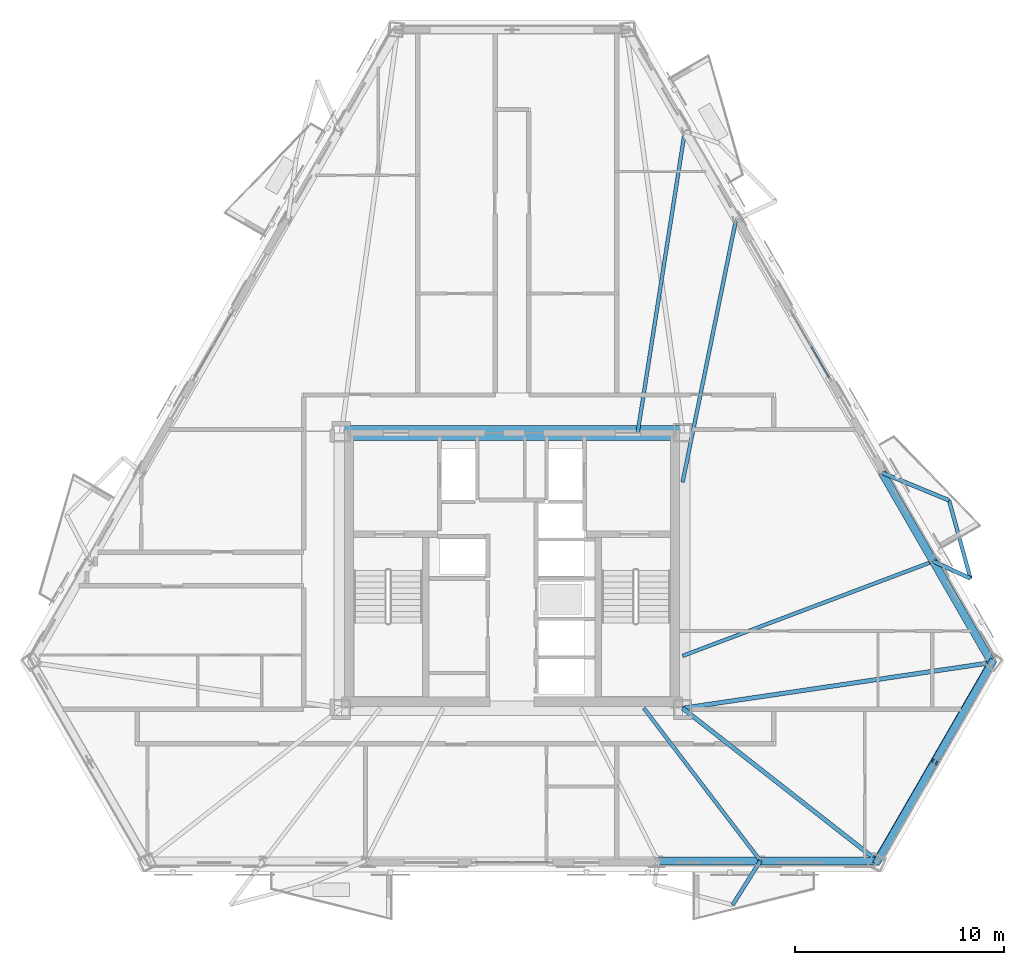
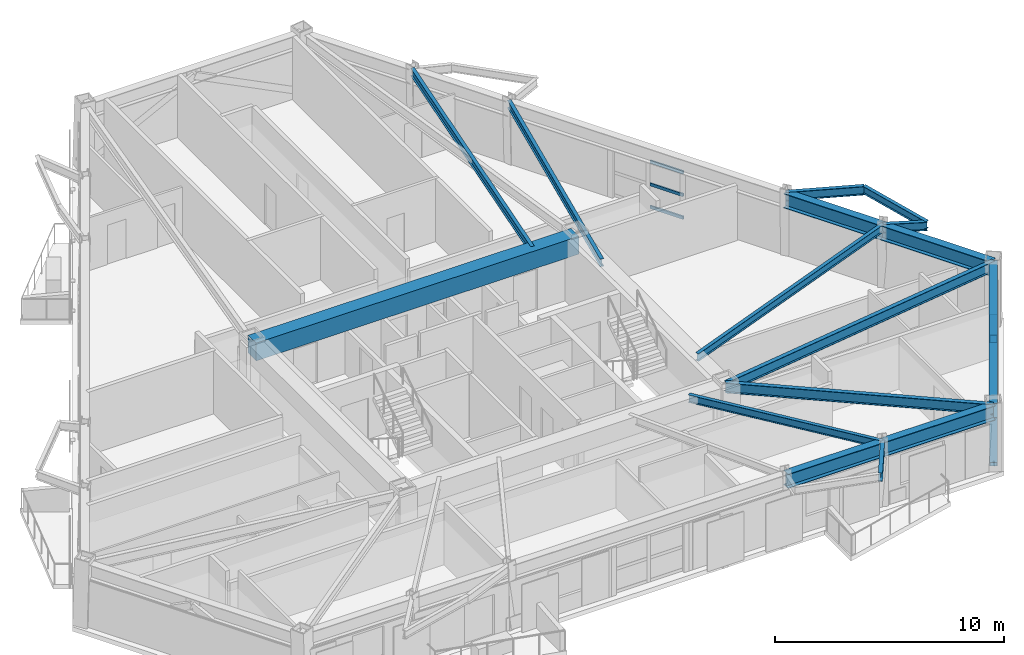
# One storey, part 6 of 16: 16 beams, 5 members, 1 element without a shape of its own.
"""IFC4 building model written with IfcOpenShell, lengths in metres."""

from ifc_helpers import new_model, si_unit, direction, frame, origin, origin_2d, place, context, subcontext, project, spatial, rectangle, hollow_rectangle, i_section, extrude, material, layer, layer_set, material_profile, profile_set, type_object, element, aggregate, save


model = new_model("IFC4")

# Units and contexts
model_context = context("Model", 3, precision=1e-05, world=origin(), true_north=direction((0.0, 1.0)))
body_context = subcontext(model_context, "Body", "Model", "MODEL_VIEW")
ifc_project = project(units=[si_unit("LENGTHUNIT", "METRE"), si_unit("AREAUNIT", "SQUARE_METRE"), si_unit("VOLUMEUNIT", "CUBIC_METRE"), si_unit("PLANEANGLEUNIT", "RADIAN"), si_unit("MASSUNIT", "GRAM", prefix="KILO")], contexts=[model_context])

# Site, building, storey
site_placement = place(None, origin())
site = spatial("IfcSite", under=ifc_project, at=site_placement, CompositionType="ELEMENT")
building_placement = place(site_placement, origin())
building = spatial("IfcBuilding", under=site, at=building_placement, Name="Oramaril Tower", CompositionType="ELEMENT")
storey_placement = place(building_placement, frame((0.0, 0.0, 115.800048828125)))
storey = spatial("IfcBuildingStorey", under=building, at=storey_placement, Name="L30", CompositionType="ELEMENT", Elevation=115.800048828125)

# Beams
ifc_material_1 = material(Name="Steel ASTM A572 Gr 50", Category="steel")
ifc_material_profile_1 = material_profile(ifc_material_1, i_section(OverallWidth=0.19091796875, OverallDepth=0.45703125, WebThickness=0.009033203125, FlangeThickness=0.014404296875, at=origin_2d()), Name="W18X50")
ifc_profile_set_1 = profile_set([ifc_material_profile_1], Name="Steel ASTM A572 Gr 50")
beam_type_1 = type_object("IfcBeamType", Name="BT-BB1", PredefinedType="BEAM", material=ifc_profile_set_1)
beam_1_placement = place(storey_placement, frame((49.366455078125, 3.712890625, 3.13134765625), z_axis=(-0.533078342668, -0.846065884301, 0.0), x_axis=(0.846065884301, -0.533078342668, 0.0)))
element("IfcBeam", 1, at=beam_1_placement, inside=storey, type_object=beam_type_1, Name="L30 Balcony Column-Framed Cantilever 02.2", PredefinedType="BEAM", context=body_context, shape_type="SweptSolid", body=[
    extrude(i_section(OverallWidth=0.19091796875, OverallDepth=0.45703125, WebThickness=0.009033203125, FlangeThickness=0.014404296875, at=origin_2d()), origin(), (0.0, 0.0, 1.0), 2.491455078125),
])
beam_2_placement = place(storey_placement, frame((57.624755859375, 18.016845703125, 3.13134765625), z_axis=(0.908047089501, -0.418868097674, 0.0), x_axis=(0.418868097674, 0.908047089501, 0.0)))
element("IfcBeam", 2, at=beam_2_placement, inside=storey, type_object=beam_type_1, Name="L30 Balcony Column-Framed Cantilever 03.1", PredefinedType="BEAM", context=body_context, shape_type="SweptSolid", body=[
    extrude(i_section(OverallWidth=0.19091796875, OverallDepth=0.45703125, WebThickness=0.009033203125, FlangeThickness=0.014404296875, at=origin_2d()), origin(), (0.0, 0.0, 1.0), 1.954833984375),
])
beam_3_placement = place(storey_placement, frame((55.181640625, 22.248291015625, 3.13134765625), z_axis=(0.924448250069, -0.381307530669, 0.0), x_axis=(0.381307530669, 0.924448250069, 0.0)))
element("IfcBeam", 3, at=beam_3_placement, inside=storey, type_object=beam_type_1, Name="L30 Balcony Column-Framed Cantilever 03.2", PredefinedType="BEAM", context=body_context, shape_type="SweptSolid", body=[
    extrude(i_section(OverallWidth=0.19091796875, OverallDepth=0.45703125, WebThickness=0.009033203125, FlangeThickness=0.014404296875, at=origin_2d()), origin(), (0.0, 0.0, 1.0), 3.456298828125),
])
ifc_material_2 = material(Name="Concrete C50/60", Category="concrete")
ifc_material_profile_2 = material_profile(ifc_material_2, rectangle(XDim=0.699951171875, YDim=0.949951171875, at=origin_2d()), Name="CB700X950")
ifc_profile_set_2 = profile_set([ifc_material_profile_2], Name="Concrete C50/60")
beam_type_2 = type_object("IfcBeamType", Name="BT-CB1", PredefinedType="BEAM", material=ifc_profile_set_2)
beam_4_placement = place(storey_placement, frame((45.64990234375, 24.14990234375, 2.885009765625), z_axis=(-1.0, 0.0, 0.0), x_axis=(0.0, -1.0, 0.0)))
element("IfcBeam", 4, at=beam_4_placement, inside=storey, type_object=beam_type_2, Name="L30 Core Header Beam CB-3", PredefinedType="BEAM", context=body_context, shape_type="SweptSolid", body=[
    extrude(rectangle(XDim=0.699951171875, YDim=0.949951171875, at=origin_2d()), origin(), (0.0, 0.0, 1.0), 16.2998046875),
])
ifc_material_3 = material(Name="Steel ASTM A572 Gr 50", Category="steel")
ifc_material_profile_3 = material_profile(ifc_material_3, i_section(OverallWidth=0.2099609375, OverallDepth=0.535888671875, WebThickness=0.010986328125, FlangeThickness=0.017333984375, at=origin_2d()), Name="W21X68")
ifc_profile_set_3 = profile_set([ifc_material_profile_3], Name="Steel ASTM A572 Gr 50")
beam_type_3 = type_object("IfcBeamType", Name="BT-FB2", PredefinedType="BEAM", material=ifc_profile_set_3)
beam_5_placement = place(storey_placement, frame((45.64990234375, 11.0, 3.092041015625), z_axis=(0.787166527456, -0.616740511117, 0.0), x_axis=(0.616740511117, 0.787166527456, 0.0)))
element("IfcBeam", 5, at=beam_5_placement, inside=storey, type_object=beam_type_3, Name="L30 Radial Primary Beam RB-03", PredefinedType="BEAM", context=body_context, shape_type="SweptSolid", body=[
    extrude(i_section(OverallWidth=0.2099609375, OverallDepth=0.535888671875, WebThickness=0.010986328125, FlangeThickness=0.017333984375, at=origin_2d()), origin(), (0.0, 0.0, 1.0), 11.8154296875),
])
beam_6_placement = place(storey_placement, frame((45.64990234375, 11.0, 3.092041015625), z_axis=(0.989271500293, 0.146088667283, 0.0), x_axis=(-0.146088667283, 0.989271500293, 0.0)))
element("IfcBeam", 6, at=beam_6_placement, inside=storey, type_object=beam_type_3, Name="L30 Radial Primary Beam RB-04", PredefinedType="BEAM", context=body_context, shape_type="SweptSolid", body=[
    extrude(i_section(OverallWidth=0.2099609375, OverallDepth=0.535888671875, WebThickness=0.010986328125, FlangeThickness=0.017333984375, at=origin_2d()), origin(), (0.0, 0.0, 1.0), 14.927001953125),
])
ifc_material_4 = material(Name="Steel ASTM A572 Gr 50", Category="steel")
ifc_material_profile_4 = material_profile(ifc_material_4, i_section(OverallWidth=0.177978515625, OverallDepth=0.404052734375, WebThickness=0.007568359375, FlangeThickness=0.010986328125, at=origin_2d()), Name="W16X36")
ifc_profile_set_4 = profile_set([ifc_material_profile_4], Name="Steel ASTM A572 Gr 50")
beam_type_4 = type_object("IfcBeamType", Name="BT-SB1", PredefinedType="BEAM", material=ifc_profile_set_4)
beam_7_placement = place(storey_placement, frame((43.800048828125, 11.0, 3.157958984375), z_axis=(0.607031012152, -0.794678142575, 0.0), x_axis=(0.794678142575, 0.607031012152, 0.0)))
element("IfcBeam", 7, at=beam_7_placement, inside=storey, type_object=beam_type_4, Name="L30 Secondary Floor Beam SB-04", PredefinedType="BEAM", context=body_context, shape_type="SweptSolid", body=[
    extrude(i_section(OverallWidth=0.177978515625, OverallDepth=0.404052734375, WebThickness=0.007568359375, FlangeThickness=0.010986328125, at=origin_2d()), origin(), (0.0, 0.0, 1.0), 9.169921875),
])
beam_8_placement = place(storey_placement, frame((45.64990234375, 13.5, 3.157958984375), z_axis=(0.935652475235, 0.352922719002, 0.0), x_axis=(-0.352922719002, 0.935652475235, 0.0)))
element("IfcBeam", 8, at=beam_8_placement, inside=storey, type_object=beam_type_4, Name="L30 Secondary Floor Beam SB-05", PredefinedType="BEAM", context=body_context, shape_type="SweptSolid", body=[
    extrude(i_section(OverallWidth=0.177978515625, OverallDepth=0.404052734375, WebThickness=0.007568359375, FlangeThickness=0.010986328125, at=origin_2d()), origin(), (0.0, 0.0, 1.0), 12.79833984375),
])
beam_9_placement = place(storey_placement, frame((45.64990234375, 21.800048828125, 3.157958984375), z_axis=(0.199410079743, 0.979916129114, 0.0), x_axis=(-0.979916129114, 0.199410079743, 0.0)))
element("IfcBeam", 9, at=beam_9_placement, inside=storey, type_object=beam_type_4, Name="L30 Secondary Floor Beam SB-06", PredefinedType="BEAM", context=body_context, shape_type="SweptSolid", body=[
    extrude(i_section(OverallWidth=0.177978515625, OverallDepth=0.404052734375, WebThickness=0.007568359375, FlangeThickness=0.010986328125, at=origin_2d()), origin(), (0.0, 0.0, 1.0), 12.79541015625),
])
beam_10_placement = place(storey_placement, frame((43.5, 24.14990234375, 3.157958984375), z_axis=(0.154721289501, 0.987958158312, 0.0), x_axis=(-0.987958158312, 0.154721289501, 0.0)))
element("IfcBeam", 10, at=beam_10_placement, inside=storey, type_object=beam_type_4, Name="L30 Secondary Floor Beam SB-07", PredefinedType="BEAM", context=body_context, shape_type="SweptSolid", body=[
    extrude(i_section(OverallWidth=0.177978515625, OverallDepth=0.404052734375, WebThickness=0.007568359375, FlangeThickness=0.010986328125, at=origin_2d()), origin(), (0.0, 0.0, 1.0), 14.595947265625),
])
beam_11_placement = place(storey_placement, frame((59.39990234375, 17.197998046875, 3.157958984375), z_axis=(-0.264382243015, 0.964417974521, 0.0), x_axis=(-0.964417974521, -0.264382243015, 0.0)))
element("IfcBeam", 11, at=beam_11_placement, inside=storey, type_object=beam_type_4, Name="L30 Balcony Edge Tie Beam 03", PredefinedType="BEAM", context=body_context, shape_type="SweptSolid", body=[
    extrude(i_section(OverallWidth=0.177978515625, OverallDepth=0.404052734375, WebThickness=0.007568359375, FlangeThickness=0.010986328125, at=origin_2d()), origin(), (0.0, 0.0, 1.0), 3.8701171875),
])
ifc_material_5 = material(Name="Steel ASTM A572 Gr 50", Category="steel")
ifc_material_profile_5 = material_profile(ifc_material_5, i_section(OverallWidth=0.381103515625, OverallDepth=0.77197265625, WebThickness=0.0166015625, FlangeThickness=0.027099609375, at=origin_2d()), Name="W30X173")
ifc_profile_set_5 = profile_set([ifc_material_profile_5], Name="Steel ASTM A572 Gr 50")
beam_type_5 = type_object("IfcBeamType", Name="BT-SP2", PredefinedType="SPANDREL", material=ifc_profile_set_5)
beam_12_placement = place(storey_placement, frame((44.480224609375, 3.712890625, 2.973876953125), z_axis=(1.0, 0.0, 0.0), x_axis=(0.0, 1.0, 0.0)))
element("IfcBeam", 12, at=beam_12_placement, inside=storey, type_object=beam_type_5, Name="L30 Perimeter Spandrel 05", PredefinedType="SPANDREL", context=body_context, shape_type="SweptSolid", body=[
    extrude(i_section(OverallWidth=0.381103515625, OverallDepth=0.77197265625, WebThickness=0.0166015625, FlangeThickness=0.027099609375, at=origin_2d()), origin(), (0.0, 0.0, 1.0), 4.88623046875),
])
beam_13_placement = place(storey_placement, frame((49.366455078125, 3.712890625, 2.973876953125), z_axis=(1.0, 0.0, 0.0), x_axis=(0.0, 1.0, 0.0)))
element("IfcBeam", 13, at=beam_13_placement, inside=storey, type_object=beam_type_5, Name="L30 Perimeter Spandrel 06", PredefinedType="SPANDREL", context=body_context, shape_type="SweptSolid", body=[
    extrude(i_section(OverallWidth=0.381103515625, OverallDepth=0.77197265625, WebThickness=0.0166015625, FlangeThickness=0.027099609375, at=origin_2d()), origin(), (0.0, 0.0, 1.0), 5.584228515625),
])
beam_14_placement = place(storey_placement, frame((54.95068359375, 3.712890625, 2.973876953125), z_axis=(0.49998922304, 0.866031625776, 0.0), x_axis=(-0.866031625776, 0.49998922304, 0.0)))
element("IfcBeam", 14, at=beam_14_placement, inside=storey, type_object=beam_type_5, Name="L30 Perimeter Spandrel 07", PredefinedType="SPANDREL", context=body_context, shape_type="SweptSolid", body=[
    extrude(i_section(OverallWidth=0.381103515625, OverallDepth=0.77197265625, WebThickness=0.0166015625, FlangeThickness=0.027099609375, at=origin_2d()), origin(), (0.0, 0.0, 1.0), 10.932373046875),
])
beam_15_placement = place(storey_placement, frame((60.416748046875, 13.1806640625, 2.973876953125), z_axis=(-0.499976014784, 0.866039251212, 0.0), x_axis=(-0.866039251212, -0.499976014784, 0.0)))
element("IfcBeam", 15, at=beam_15_placement, inside=storey, type_object=beam_type_5, Name="L30 Perimeter Spandrel 08", PredefinedType="SPANDREL", context=body_context, shape_type="SweptSolid", body=[
    extrude(i_section(OverallWidth=0.381103515625, OverallDepth=0.77197265625, WebThickness=0.0166015625, FlangeThickness=0.027099609375, at=origin_2d()), origin(), (0.0, 0.0, 1.0), 5.584228515625),
])
beam_16_placement = place(storey_placement, frame((57.624755859375, 18.016845703125, 2.973876953125), z_axis=(-0.500013683274, 0.866017503598, 0.0), x_axis=(-0.866017503598, -0.500013683274, 0.0)))
element("IfcBeam", 16, at=beam_16_placement, inside=storey, type_object=beam_type_5, Name="L30 Perimeter Spandrel 09", PredefinedType="SPANDREL", context=body_context, shape_type="SweptSolid", body=[
    extrude(i_section(OverallWidth=0.381103515625, OverallDepth=0.77197265625, WebThickness=0.0166015625, FlangeThickness=0.027099609375, at=origin_2d()), origin(), (0.0, 0.0, 1.0), 4.885986328125),
])

# Curtain wall, members
ifc_material_6 = material(Name="Anodised Aluminium 6063-T6", Category="aluminium")
ifc_layer = layer(ifc_material_6, 0.179931640625)
ifc_layer_set = layer_set([ifc_layer], Name="CWT-SYS3")
curtain_wall_type = type_object("IfcCurtainWallType", Name="CWT-SYS3", PredefinedType="NOTDEFINED", material=ifc_layer_set)
curtain_wall_placement = place(storey_placement, origin())
curtain_wall = element("IfcCurtainWall", 17, at=curtain_wall_placement, inside=storey, type_object=curtain_wall_type, Name="L30 Unitised Curtain Wall CW-3", PredefinedType="NOTDEFINED")
ifc_material_7 = material(Name="Anodised Aluminium 6063-T6", Category="aluminium")
ifc_material_profile_6 = material_profile(ifc_material_7, hollow_rectangle(XDim=0.070068359375, YDim=0.159912109375, WallThickness=0.00390625, at=origin_2d()), Name="CWT160X70")
ifc_profile_set_6 = profile_set([ifc_material_profile_6], Name="Anodised Aluminium 6063-T6")
member_type_1 = type_object("IfcMemberType", Name="MT-CWT1", PredefinedType="USERDEFINED", material=ifc_profile_set_6)
member_1_placement = place(storey_placement, frame((52.64892578125, 26.802490234375, 0.079833984375), z_axis=(-0.499953100966, 0.866052479261, 0.0), x_axis=(-0.866052479261, -0.499953100966, 0.0)))
member_1 = element("IfcMember", 18, at=member_1_placement, type_object=member_type_1, Name="CW-3 transom 1.1", ObjectType="TRANSOM", PredefinedType="USERDEFINED", context=body_context, shape_type="SweptSolid", body=[
    extrude(hollow_rectangle(XDim=0.070068359375, YDim=0.159912109375, WallThickness=0.00390625, at=origin_2d()), origin(), (0.0, 0.0, 1.0), 1.679931640625),
])
member_2_placement = place(storey_placement, frame((52.64892578125, 26.802490234375, 1.2890625), z_axis=(-0.499953100966, 0.866052479261, 0.0), x_axis=(-0.866052479261, -0.499953100966, 0.0)))
member_2 = element("IfcMember", 19, at=member_2_placement, type_object=member_type_1, Name="CW-3 transom 1.2", ObjectType="TRANSOM", PredefinedType="USERDEFINED", context=body_context, shape_type="SweptSolid", body=[
    extrude(hollow_rectangle(XDim=0.070068359375, YDim=0.159912109375, WallThickness=0.00390625, at=origin_2d()), origin(), (0.0, 0.0, 1.0), 1.679931640625),
])
member_3_placement = place(storey_placement, frame((52.64892578125, 26.802490234375, 2.498046875), z_axis=(-0.499953100966, 0.866052479261, 0.0), x_axis=(-0.866052479261, -0.499953100966, 0.0)))
member_3 = element("IfcMember", 20, at=member_3_placement, type_object=member_type_1, Name="CW-3 transom 1.3", ObjectType="TRANSOM", PredefinedType="USERDEFINED", context=body_context, shape_type="SweptSolid", body=[
    extrude(hollow_rectangle(XDim=0.070068359375, YDim=0.159912109375, WallThickness=0.00390625, at=origin_2d()), origin(), (0.0, 0.0, 1.0), 1.679931640625),
])
aggregate(curtain_wall, [member_1, member_2, member_3])

# Members
ifc_material_8 = material(Name="Steel ASTM A572 Gr 50", Category="steel")
ifc_material_profile_7 = material_profile(ifc_material_8, hollow_rectangle(XDim=0.35009765625, YDim=0.35009765625, WallThickness=0.01611328125, at=origin_2d()), Name="HSS350X350X16")
ifc_profile_set_7 = profile_set([ifc_material_profile_7], Name="Steel ASTM A572 Gr 50")
member_type_2 = type_object("IfcMemberType", Name="MT-KB1", PredefinedType="BRACE", material=ifc_profile_set_7)
member_4_placement = place(storey_placement, frame((54.9130859375, 3.62939453125, 0.179931640625), z_axis=(0.446742166652, 0.773732940715, 0.449175659389), x_axis=(-0.866012199007, 0.500022870649, 0.0)))
element("IfcMember", 21, at=member_4_placement, inside=storey, type_object=member_type_2, Name="L30 Perimeter Chevron Brace KB-2A", PredefinedType="BRACE", context=body_context, shape_type="SweptSolid", body=[
    extrude(hollow_rectangle(XDim=0.35009765625, YDim=0.35009765625, WallThickness=0.01611328125, at=origin_2d()), origin(), (0.0, 0.0, 1.0), 6.22021484375),
])
member_5_placement = place(storey_placement, frame((60.470703125, 13.255126953125, 0.179931640625), z_axis=(-0.446728599846, -0.773748692441, 0.449162018682), x_axis=(0.86602318214, -0.500003847982, 0.0)))
element("IfcMember", 22, at=member_5_placement, inside=storey, type_object=member_type_2, Name="L30 Perimeter Chevron Brace KB-2B", PredefinedType="BRACE", context=body_context, shape_type="SweptSolid", body=[
    extrude(hollow_rectangle(XDim=0.35009765625, YDim=0.35009765625, WallThickness=0.01611328125, at=origin_2d()), origin(), (0.0, 0.0, 1.0), 6.220458984375),
])

save(model, "model.ifc")
